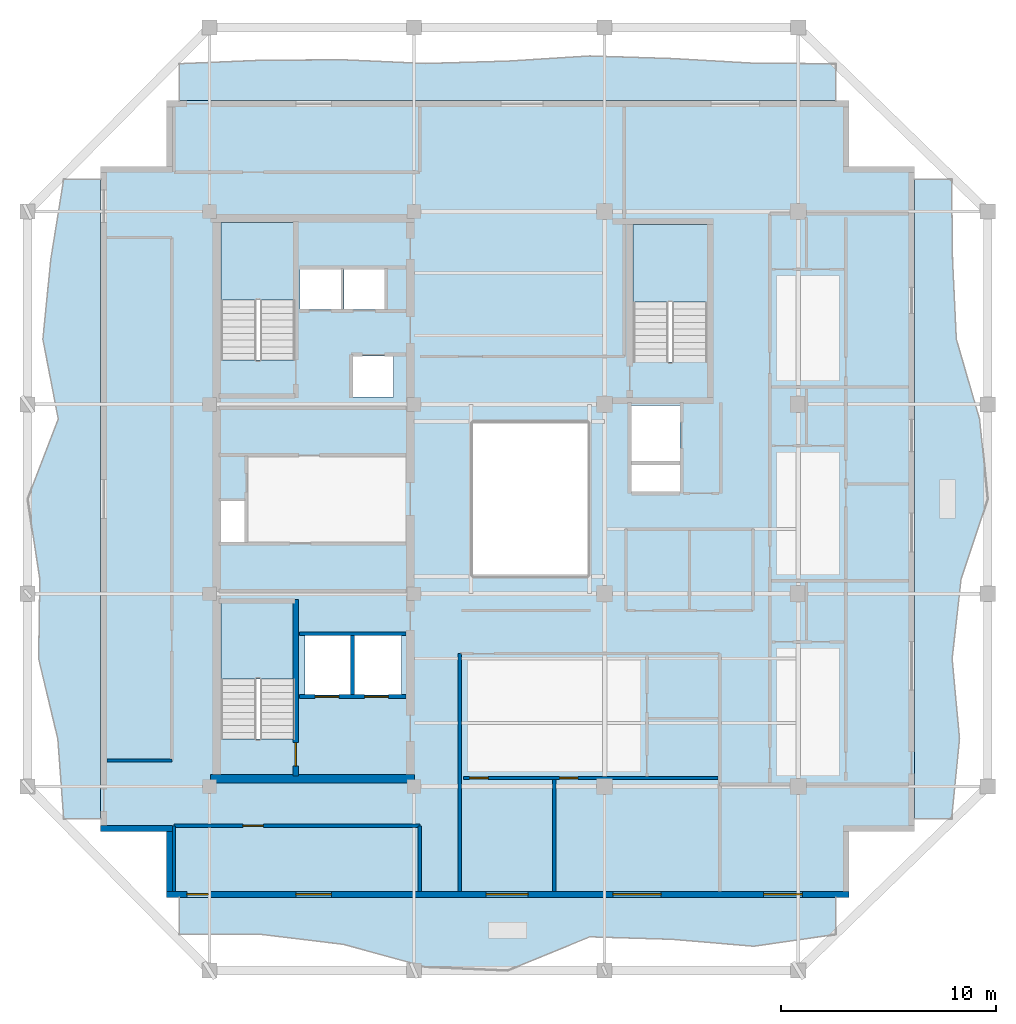
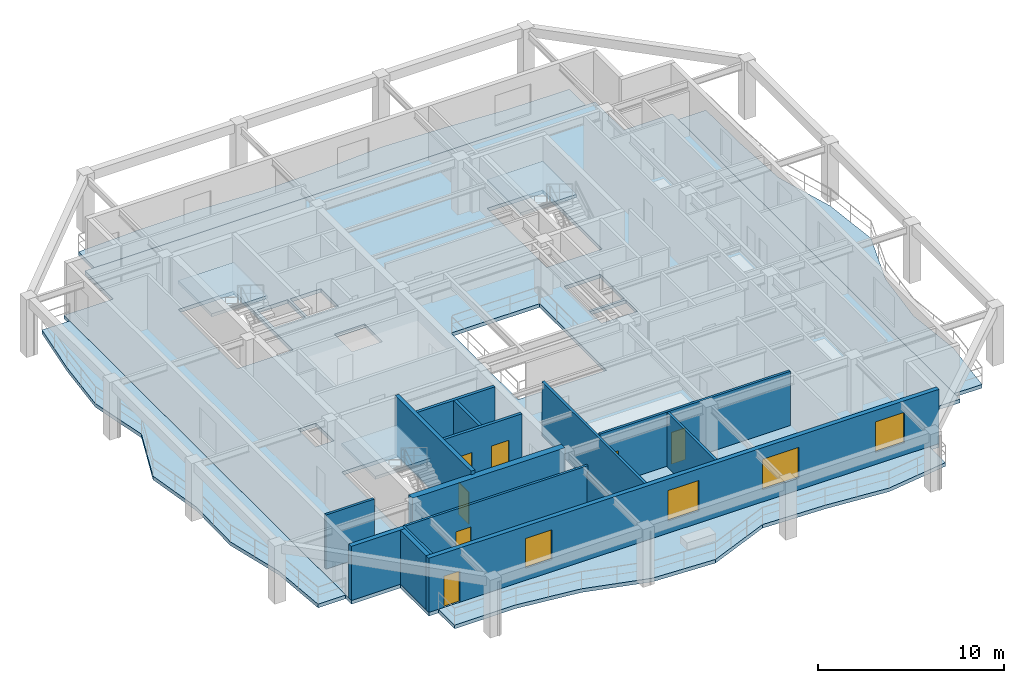
# One storey, part 2 of 10: 15 walls, 8 slabs, 7 doors, 4 windows, 11 openings, 3 elements without a shape of their own.
"""IFC4 building model written with IfcOpenShell, lengths in metres."""

from ifc_helpers import new_model, si_unit, direction, frame, frame_2d, origin, place, context, subcontext, project, spatial, polyline, rectangle, outline, extrude, material, layer, layer_set, type_object, element, fill, aggregate, save


model = new_model("IFC4")

# Units and contexts
model_context = context("Model", 3, precision=1e-05, world=origin(), true_north=direction((0.0, 1.0)))
body_context = subcontext(model_context, "Body", "Model", "MODEL_VIEW")
ifc_project = project(units=[si_unit("LENGTHUNIT", "METRE"), si_unit("AREAUNIT", "SQUARE_METRE"), si_unit("VOLUMEUNIT", "CUBIC_METRE"), si_unit("PLANEANGLEUNIT", "RADIAN"), si_unit("MASSUNIT", "GRAM", prefix="KILO")], contexts=[model_context])

# Site, building, storey
site_placement = place(None, origin())
site = spatial("IfcSite", under=ifc_project, at=site_placement, CompositionType="ELEMENT")
building_placement = place(site_placement, origin())
building = spatial("IfcBuilding", under=site, at=building_placement, Name="Kundavana Baori Tower", CompositionType="ELEMENT")
storey_placement = place(building_placement, frame((0.0, 0.0, 316.300048828125)))
storey = spatial("IfcBuildingStorey", under=building, at=storey_placement, Name="L78", CompositionType="ELEMENT", Elevation=316.300048828125)

# Slab
ifc_material_1 = material(Name="Concrete C40/50", Category="concrete")
ifc_layer_1 = layer(ifc_material_1, 0.239990234375, Name="SLB-FLR-240")
ifc_layer_set_1 = layer_set([ifc_layer_1], Name="Concrete C40/50")
slab_type_1 = type_object("IfcSlabType", Name="SLB-FLR-240", PredefinedType="FLOOR", material=ifc_layer_set_1)
slab_1_placement = place(storey_placement, frame((0.0, 0.0, -0.239990234375)))
element("IfcSlab", 1, at=slab_1_placement, inside=storey, type_object=slab_type_1, Name="L78 Structural Floor Slab", PredefinedType="FLOOR", context=body_context, shape_type="SweptSolid", body=[
    extrude(outline(polyline([(13.449951171875, 10.10009765625), (45.14990234375, 10.10009765625), (45.14990234375, 13.14990234375), (48.199951171875, 13.14990234375), (48.199951171875, 44.050048828125), (45.14990234375, 44.050048828125), (45.14990234375, 47.10009765625), (13.449951171875, 47.10009765625), (13.449951171875, 44.050048828125), (10.39990234375, 44.050048828125), (10.39990234375, 13.14990234375), (13.449951171875, 13.14990234375), (13.449951171875, 10.10009765625)]), holes=[polyline([(19.43994140625, 17.4619140625), (19.43994140625, 23.85009765625), (15.97998046875, 23.85009765625), (15.97998046875, 17.4619140625), (19.43994140625, 17.4619140625)]), polyline([(19.43994140625, 35.06201171875), (19.43994140625, 41.449951171875), (15.97998046875, 41.449951171875), (15.97998046875, 35.06201171875), (19.43994140625, 35.06201171875)]), polyline([(38.580078125, 34.9619140625), (38.580078125, 41.35009765625), (35.1201171875, 41.35009765625), (35.1201171875, 34.9619140625), (38.580078125, 34.9619140625)]), polyline([(19.64990234375, 37.39990234375), (21.550048828125, 37.39990234375), (21.550048828125, 39.300048828125), (19.64990234375, 39.300048828125), (19.64990234375, 37.39990234375)]), polyline([(21.699951171875, 37.39990234375), (23.60009765625, 37.39990234375), (23.60009765625, 39.300048828125), (21.699951171875, 39.300048828125), (21.699951171875, 37.39990234375)]), polyline([(22.10009765625, 33.35009765625), (24.0, 33.35009765625), (24.0, 35.25), (22.10009765625, 35.25), (22.10009765625, 33.35009765625)]), polyline([(19.8798828125, 19.5), (22.02001953125, 19.5), (22.02001953125, 22.25), (19.8798828125, 22.25), (19.8798828125, 19.5)]), polyline([(22.179931640625, 19.5), (24.3798828125, 19.5), (24.3798828125, 22.25), (22.179931640625, 22.25), (22.179931640625, 19.5)]), polyline([(35.050048828125, 30.35009765625), (37.300048828125, 30.35009765625), (37.300048828125, 32.949951171875), (35.050048828125, 32.949951171875), (35.050048828125, 30.35009765625)]), polyline([(15.949951171875, 26.60009765625), (17.080078125, 26.60009765625), (17.080078125, 28.5), (15.949951171875, 28.5), (15.949951171875, 26.60009765625)]), polyline([(35.050048828125, 28.949951171875), (37.300048828125, 28.949951171875), (37.300048828125, 30.199951171875), (35.050048828125, 30.199951171875), (35.050048828125, 28.949951171875)]), polyline([(27.60009765625, 25.0), (33.10009765625, 25.0), (33.10009765625, 32.199951171875), (27.60009765625, 32.199951171875), (27.60009765625, 25.0)])]), origin(), (0.0, 0.0, 1.0), 0.239990234375),
])

# Stair, slab
ifc_material_2 = material(Name="Concrete C40/50", Category="concrete")
stair_type = type_object("IfcStairType", Name="STR-DOG-1650", PredefinedType="HALF_TURN_STAIR", material=ifc_material_2)
stair_1_placement = place(storey_placement, origin())
stair_1 = element("IfcStair", 2, at=stair_1_placement, inside=storey, type_object=stair_type, Name="L78 Protected Exit Stair ST1", PredefinedType="HALF_TURN_STAIR")
ifc_material_3 = material(Name="Concrete C40/50", Category="concrete")
ifc_layer_2 = layer(ifc_material_3, 0.199951171875, Name="SLB-LND-200")
ifc_layer_set_2 = layer_set([ifc_layer_2], Name="Concrete C40/50")
slab_type_2 = type_object("IfcSlabType", Name="SLB-LND-200", PredefinedType="LANDING", material=ifc_layer_set_2)
slab_2_placement = place(storey_placement, frame((0.0, 0.0, 1.699951171875)))
slab_2 = element("IfcSlab", 3, at=slab_2_placement, type_object=slab_type_2, Name="ST1 landing 1", PredefinedType="LANDING", context=body_context, shape_type="SweptSolid", body=[
    extrude(outline(polyline([(19.43994140625, 20.239990234375), (19.43994140625, 23.85009765625), (15.97998046875, 23.85009765625), (15.97998046875, 20.239990234375), (19.43994140625, 20.239990234375)])), origin(), (0.0, 0.0, 1.0), 0.199951171875),
])
aggregate(stair_1, [slab_2])

stair_2_placement = place(storey_placement, origin())
stair_2 = element("IfcStair", 4, at=stair_2_placement, inside=storey, type_object=stair_type, Name="L78 Protected Exit Stair ST2", PredefinedType="HALF_TURN_STAIR")
slab_3_placement = place(storey_placement, frame((0.0, 0.0, 1.699951171875)))
slab_3 = element("IfcSlab", 5, at=slab_3_placement, type_object=slab_type_2, Name="ST2 landing 1", PredefinedType="LANDING", context=body_context, shape_type="SweptSolid", body=[
    extrude(outline(polyline([(19.43994140625, 37.840087890625), (19.43994140625, 41.449951171875), (15.97998046875, 41.449951171875), (15.97998046875, 37.840087890625), (19.43994140625, 37.840087890625)])), origin(), (0.0, 0.0, 1.0), 0.199951171875),
])
aggregate(stair_2, [slab_3])

stair_3_placement = place(storey_placement, origin())
stair_3 = element("IfcStair", 6, at=stair_3_placement, inside=storey, type_object=stair_type, Name="L78 Protected Exit Stair ST3", PredefinedType="HALF_TURN_STAIR")
slab_4_placement = place(storey_placement, frame((0.0, 0.0, 1.699951171875)))
slab_4 = element("IfcSlab", 7, at=slab_4_placement, type_object=slab_type_2, Name="ST3 landing 1", PredefinedType="LANDING", context=body_context, shape_type="SweptSolid", body=[
    extrude(outline(polyline([(38.580078125, 37.739990234375), (38.580078125, 41.35009765625), (35.1201171875, 41.35009765625), (35.1201171875, 37.739990234375), (38.580078125, 37.739990234375)])), origin(), (0.0, 0.0, 1.0), 0.199951171875),
])
aggregate(stair_3, [slab_4])

# Slabs
ifc_material_4 = material(Name="Concrete C40/50", Category="concrete")
ifc_layer_3 = layer(ifc_material_4, 0.239990234375, Name="SLB-LOG-240")
ifc_layer_set_3 = layer_set([ifc_layer_3], Name="Concrete C40/50")
slab_type_3 = type_object("IfcSlabType", Name="SLB-LOG-240", PredefinedType="FLOOR", material=ifc_layer_set_3)
slab_5_placement = place(storey_placement, frame((0.0, 0.0, -0.239990234375)))
element("IfcSlab", 8, at=slab_5_placement, inside=storey, type_object=slab_type_3, Name="L78 Planted Loggia Balcony Slab S", PredefinedType="FLOOR", context=body_context, shape_type="SweptSolid", body=[
    extrude(outline(polyline([(14.050048828125, 10.10009765625), (44.550048828125, 10.10009765625), (44.550048828125, 8.3798828125), (40.737060546875, 7.827880859375), (36.925048828125, 8.15087890625), (33.112060546875, 8.264892578125), (29.300048828125, 6.699951171875), (25.487060546875, 6.8701171875), (21.675048828125, 7.916015625), (17.863037109375, 8.3779296875), (14.050048828125, 8.3798828125), (14.050048828125, 10.10009765625)])), origin(), (0.0, 0.0, 1.0), 0.239990234375),
])
slab_6_placement = place(storey_placement, frame((0.0, 0.0, -0.239990234375)))
element("IfcSlab", 9, at=slab_6_placement, inside=storey, type_object=slab_type_3, Name="L78 Planted Loggia Balcony Slab E", PredefinedType="FLOOR", context=body_context, shape_type="SweptSolid", body=[
    extrude(outline(polyline([(48.199951171875, 13.75), (48.199951171875, 43.449951171875), (49.919921875, 43.449951171875), (49.964111328125, 39.738037109375), (50.139892578125, 36.02490234375), (51.220947265625, 32.31201171875), (51.60009765625, 28.60009765625), (50.362060546875, 24.887939453125), (49.946044921875, 21.175048828125), (50.2890625, 17.4619140625), (49.919921875, 13.75), (48.199951171875, 13.75)])), origin(), (0.0, 0.0, 1.0), 0.239990234375),
])
slab_7_placement = place(storey_placement, frame((0.0, 0.0, -0.239990234375)))
element("IfcSlab", 10, at=slab_7_placement, inside=storey, type_object=slab_type_3, Name="L78 Planted Loggia Balcony Slab N", PredefinedType="FLOOR", context=body_context, shape_type="SweptSolid", body=[
    extrude(outline(polyline([(44.550048828125, 47.10009765625), (14.050048828125, 47.10009765625), (14.050048828125, 48.820068359375), (17.863037109375, 48.97998046875), (21.675048828125, 49.0009765625), (25.487060546875, 48.830078125), (29.300048828125, 48.93994140625), (33.112060546875, 49.178955078125), (36.925048828125, 49.06005859375), (40.737060546875, 48.843017578125), (44.550048828125, 48.820068359375), (44.550048828125, 47.10009765625)])), origin(), (0.0, 0.0, 1.0), 0.239990234375),
])
slab_8_placement = place(storey_placement, frame((0.0, 0.0, -0.239990234375)))
element("IfcSlab", 11, at=slab_8_placement, inside=storey, type_object=slab_type_3, Name="L78 Planted Loggia Balcony Slab W", PredefinedType="FLOOR", context=body_context, shape_type="SweptSolid", body=[
    extrude(outline(polyline([(10.39990234375, 43.449951171875), (10.39990234375, 13.75), (8.679931640625, 13.75), (8.406005859375, 17.4619140625), (7.51806640625, 21.175048828125), (7.570068359375, 24.887939453125), (7.0, 28.60009765625), (8.428955078125, 32.31201171875), (7.712890625, 36.02490234375), (8.0810546875, 39.738037109375), (8.679931640625, 43.449951171875), (10.39990234375, 43.449951171875)])), origin(), (0.0, 0.0, 1.0), 0.239990234375),
])

# Wall
ifc_material_5 = material(Name="Concrete C50/60", Category="concrete")
ifc_layer_4 = layer(ifc_material_5, 0.39990234375, Name="WL-CORE-400")
ifc_layer_set_4 = layer_set([ifc_layer_4], Name="Concrete C50/60")
wall_type_1 = type_object("IfcWallType", Name="WL-CORE-400", PredefinedType="SHEAR", material=ifc_layer_set_4)
wall_1_placement = place(storey_placement, frame((15.5, 15.610107421875, 0.0), z_axis=(0.0, 0.0, 1.0), x_axis=(1.0, 0.0, 0.0)))
element("IfcWall", 12, at=wall_1_placement, inside=storey, type_object=wall_type_1, Name="L78 Offset Core South Shear Wall", PredefinedType="SHEAR", context=body_context, shape_type="SweptSolid", body=[
    extrude(rectangle(XDim=9.47998046875, YDim=0.39990234375, at=frame_2d((4.739990234375, 0.0))), origin(), (0.0, 0.0, 1.0), 3.56005859375),
])

# Wall, opening, door
wall_2_placement = place(storey_placement, frame((19.4599609375, 15.739990234375, 0.0), z_axis=(0.0, 0.0, 1.0), x_axis=(0.0, 1.0, 0.0)))
wall_2 = element("IfcWall", 13, at=wall_2_placement, inside=storey, type_object=wall_type_1, Name="WL-L78-ST1-E", PredefinedType="SHEAR", context=body_context, shape_type="SweptSolid", body=[
    extrude(rectangle(XDim=8.199951171875, YDim=0.239990234375, at=frame_2d((4.10009765625, 0.0))), origin(), (0.0, 0.0, 1.0), 3.800048828125),
])
opening_1_placement = place(wall_2_placement, frame((0.449951171875, 0.0, 0.0)))
opening_1 = element("IfcOpeningElement", 14, at=opening_1_placement, cuts=wall_2, Name="Opening FD-110", PredefinedType="OPENING", context=body_context, shape_type="SweptSolid", body=[
    extrude(rectangle(XDim=1.10009765625, YDim=2.10009765625, at=frame_2d((0.550048828125, 1.050048828125))), frame((0.0, 0.1298828125, 0.0), z_axis=(0.0, -1.0, 0.0), x_axis=(1.0, 0.0, 0.0)), (0.0, 0.0, 1.0), 0.260009765625),
])
ifc_material_6 = material(Name="Galvanised Steel Fire-Rated Door Leaf", Category="steel")
door_type_1 = type_object("IfcDoorType", Name="DR-FD120-1100", OperationType="NOTDEFINED", PredefinedType="DOOR", material=ifc_material_6)
door_1_placement = place(opening_1_placement, origin())
door_1 = element("IfcDoor", 15, at=door_1_placement, inside=storey, type_object=door_type_1, Name="DR-L78-ST1", OperationType="SINGLE_SWING_LEFT", OverallHeight=2.10009765625, OverallWidth=1.10009765625, PredefinedType="DOOR", context=body_context, shape_type="SweptSolid", body=[
    extrude(rectangle(XDim=1.10009765625, YDim=2.10009765625, at=frame_2d((0.550048828125, 1.050048828125))), frame((0.0, 0.02490234375, 0.0), z_axis=(0.0, -1.0, 0.0), x_axis=(1.0, 0.0, 0.0)), (0.0, 0.0, 1.0), 0.050048828125),
])
fill(opening_1, door_1)

# Wall, openings, door, windows
ifc_material_7 = material(Name="Red-Buff Dholpur Sandstone Cladding on Concrete C40/50", Category="masonry")
ifc_layer_5 = layer(ifc_material_7, 0.280029296875, Name="WL-EXT-SAND-280")
ifc_layer_set_5 = layer_set([ifc_layer_5], Name="Red-Buff Dholpur Sandstone Cladding on Concrete C40/50")
wall_type_2 = type_object("IfcWallType", Name="WL-EXT-SAND-280", PredefinedType="STANDARD", material=ifc_layer_set_5)
wall_3_placement = place(storey_placement, frame((13.449951171875, 10.239990234375, 0.0), z_axis=(0.0, 0.0, 1.0), x_axis=(1.0, 0.0, 0.0)))
wall_3 = element("IfcWall", 16, at=wall_3_placement, inside=storey, type_object=wall_type_2, Name="L78 Exterior Insulated Facade Wall 01", PredefinedType="STANDARD", context=body_context, shape_type="SweptSolid", body=[
    extrude(rectangle(XDim=31.699951171875, YDim=0.280029296875, at=frame_2d((15.85009765625, 0.0))), origin(), (0.0, 0.0, 1.0), 3.56005859375),
])
opening_2_placement = place(wall_3_placement, frame((0.949951171875, 0.0, 0.0)))
opening_2 = element("IfcOpeningElement", 17, at=opening_2_placement, cuts=wall_3, Name="Opening BD-1", PredefinedType="OPENING", context=body_context, shape_type="SweptSolid", body=[
    extrude(rectangle(XDim=1.0, YDim=2.050048828125, at=frame_2d((0.5, 1.02490234375))), frame((0.0, 0.14990234375, 0.0), z_axis=(0.0, -1.0, 0.0), x_axis=(1.0, 0.0, 0.0)), (0.0, 0.0, 1.0), 0.300048828125),
])
opening_3_placement = place(wall_3_placement, frame((6.010009765625, 0.0, 0.800048828125)))
opening_3 = element("IfcOpeningElement", 18, at=opening_3_placement, cuts=wall_3, Name="Opening W-08", PredefinedType="OPENING", context=body_context, shape_type="SweptSolid", body=[
    extrude(rectangle(XDim=1.64990234375, YDim=1.949951171875, at=frame_2d((0.824951171875, 0.97509765625))), frame((0.0, 0.14990234375, 0.0), z_axis=(0.0, -1.0, 0.0), x_axis=(1.0, 0.0, 0.0)), (0.0, 0.0, 1.0), 0.300048828125),
])
opening_4_placement = place(wall_3_placement, frame((14.847900390625, 0.0, 0.800048828125)))
opening_4 = element("IfcOpeningElement", 19, at=opening_4_placement, cuts=wall_3, Name="Opening W-09", PredefinedType="OPENING", context=body_context, shape_type="SweptSolid", body=[
    extrude(rectangle(XDim=1.949951171875, YDim=2.0, at=frame_2d((0.97509765625, 1.0))), frame((0.0, 0.14990234375, 0.0), z_axis=(0.0, -1.0, 0.0), x_axis=(1.0, 0.0, 0.0)), (0.0, 0.0, 1.0), 0.300048828125),
])
opening_5_placement = place(wall_3_placement, frame((20.73291015625, 0.0, 0.800048828125)))
opening_5 = element("IfcOpeningElement", 20, at=opening_5_placement, cuts=wall_3, Name="Opening W-10", PredefinedType="OPENING", context=body_context, shape_type="SweptSolid", body=[
    extrude(rectangle(XDim=2.25, YDim=2.0, at=frame_2d((1.125, 1.0))), frame((0.0, 0.14990234375, 0.0), z_axis=(0.0, -1.0, 0.0), x_axis=(1.0, 0.0, 0.0)), (0.0, 0.0, 1.0), 0.300048828125),
])
opening_6_placement = place(wall_3_placement, frame((27.7451171875, 0.0, 0.800048828125)))
opening_6 = element("IfcOpeningElement", 21, at=opening_6_placement, cuts=wall_3, Name="Opening W-01", PredefinedType="OPENING", context=body_context, shape_type="SweptSolid", body=[
    extrude(rectangle(XDim=1.800048828125, YDim=2.0, at=frame_2d((0.89990234375, 1.0))), frame((0.0, 0.14990234375, 0.0), z_axis=(0.0, -1.0, 0.0), x_axis=(1.0, 0.0, 0.0)), (0.0, 0.0, 1.0), 0.300048828125),
])
ifc_material_8 = material(Name="Architectural Patinated Bronze Metalwork")
door_type_2 = type_object("IfcDoorType", Name="DR-EXT-LOG-1000", OperationType="NOTDEFINED", PredefinedType="DOOR", material=ifc_material_8)
door_2_placement = place(opening_2_placement, frame((1.0, 0.0, 0.0), z_axis=(0.0, 0.0, 1.0), x_axis=(-1.0, 0.0, 0.0)))
door_2 = element("IfcDoor", 22, at=door_2_placement, inside=storey, type_object=door_type_2, Name="L78 Loggia Balcony Access Door S", OperationType="SINGLE_SWING_LEFT", OverallHeight=2.050048828125, OverallWidth=1.0, PredefinedType="DOOR", context=body_context, shape_type="SweptSolid", body=[
    extrude(rectangle(XDim=1.0, YDim=2.050048828125, at=frame_2d((0.5, 1.02490234375))), frame((0.0, 0.02490234375, 0.0), z_axis=(0.0, -1.0, 0.0), x_axis=(1.0, 0.0, 0.0)), (0.0, 0.0, 1.0), 0.050048828125),
])
fill(opening_2, door_2)
ifc_material_9 = material(Name="Double-Glazed Solar-Control Low-E Insulated Glass", Category="glass")
window_type_1 = type_object("IfcWindowType", Name="WIN-LOG-1650x1950", PartitioningType="SINGLE_PANEL", PredefinedType="WINDOW", material=ifc_material_9)
window_1_placement = place(opening_3_placement, origin())
window_1 = element("IfcWindow", 23, at=window_1_placement, inside=storey, type_object=window_type_1, Name="L78 Recessed Loggia Window S-1", OverallHeight=1.949951171875, OverallWidth=1.64990234375, PartitioningType="SINGLE_PANEL", PredefinedType="WINDOW", context=body_context, shape_type="SweptSolid", body=[
    extrude(rectangle(XDim=1.64990234375, YDim=1.949951171875, at=frame_2d((0.824951171875, 0.97509765625))), frame((0.0, 0.030029296875, 0.0), z_axis=(0.0, -1.0, 0.0), x_axis=(1.0, 0.0, 0.0)), (0.0, 0.0, 1.0), 0.06005859375),
])
fill(opening_3, window_1)
ifc_material_10 = material(Name="Double-Glazed Solar-Control Low-E Insulated Glass", Category="glass")
window_type_2 = type_object("IfcWindowType", Name="WIN-LOG-1800x2000", PartitioningType="SINGLE_PANEL", PredefinedType="WINDOW", material=ifc_material_10)
window_2_placement = place(opening_6_placement, origin())
window_2 = element("IfcWindow", 24, at=window_2_placement, inside=storey, type_object=window_type_2, Name="L78 Recessed Loggia Window S-4", OverallHeight=2.0, OverallWidth=1.800048828125, PartitioningType="SINGLE_PANEL", PredefinedType="WINDOW", context=body_context, shape_type="SweptSolid", body=[
    extrude(rectangle(XDim=1.800048828125, YDim=2.0, at=frame_2d((0.89990234375, 1.0))), frame((0.0, 0.030029296875, 0.0), z_axis=(0.0, -1.0, 0.0), x_axis=(1.0, 0.0, 0.0)), (0.0, 0.0, 1.0), 0.06005859375),
])
fill(opening_6, window_2)
ifc_material_11 = material(Name="Double-Glazed Solar-Control Low-E Insulated Glass", Category="glass")
window_type_3 = type_object("IfcWindowType", Name="WIN-LOG-1950x2000", PartitioningType="SINGLE_PANEL", PredefinedType="WINDOW", material=ifc_material_11)
window_3_placement = place(opening_4_placement, origin())
window_3 = element("IfcWindow", 25, at=window_3_placement, inside=storey, type_object=window_type_3, Name="L78 Recessed Loggia Window S-2", OverallHeight=2.0, OverallWidth=1.949951171875, PartitioningType="SINGLE_PANEL", PredefinedType="WINDOW", context=body_context, shape_type="SweptSolid", body=[
    extrude(rectangle(XDim=1.949951171875, YDim=2.0, at=frame_2d((0.97509765625, 1.0))), frame((0.0, 0.030029296875, 0.0), z_axis=(0.0, -1.0, 0.0), x_axis=(1.0, 0.0, 0.0)), (0.0, 0.0, 1.0), 0.06005859375),
])
fill(opening_4, window_3)
ifc_material_12 = material(Name="Double-Glazed Solar-Control Low-E Insulated Glass", Category="glass")
window_type_4 = type_object("IfcWindowType", Name="WIN-LOG-2250x2000", PartitioningType="SINGLE_PANEL", PredefinedType="WINDOW", material=ifc_material_12)
window_4_placement = place(opening_5_placement, origin())
window_4 = element("IfcWindow", 26, at=window_4_placement, inside=storey, type_object=window_type_4, Name="L78 Recessed Loggia Window S-3", OverallHeight=2.0, OverallWidth=2.25, PartitioningType="SINGLE_PANEL", PredefinedType="WINDOW", context=body_context, shape_type="SweptSolid", body=[
    extrude(rectangle(XDim=2.25, YDim=2.0, at=frame_2d((1.125, 1.0))), frame((0.0, 0.030029296875, 0.0), z_axis=(0.0, -1.0, 0.0), x_axis=(1.0, 0.0, 0.0)), (0.0, 0.0, 1.0), 0.06005859375),
])
fill(opening_5, window_4)

# Walls
wall_4_placement = place(storey_placement, frame((10.39990234375, 13.2900390625, 0.0), z_axis=(0.0, 0.0, 1.0), x_axis=(1.0, 0.0, 0.0)))
element("IfcWall", 27, at=wall_4_placement, inside=storey, type_object=wall_type_2, Name="L78 Exterior Insulated Facade Wall 11", PredefinedType="STANDARD", context=body_context, shape_type="SweptSolid", body=[
    extrude(rectangle(XDim=3.330078125, YDim=0.280029296875, at=frame_2d((1.6650390625, 0.0))), origin(), (0.0, 0.0, 1.0), 3.56005859375),
])
wall_5_placement = place(storey_placement, frame((13.590087890625, 13.14990234375, 0.0), z_axis=(0.0, 0.0, 1.0), x_axis=(0.0, -1.0, 0.0)))
element("IfcWall", 28, at=wall_5_placement, inside=storey, type_object=wall_type_2, Name="L78 Exterior Insulated Facade Wall 12", PredefinedType="STANDARD", context=body_context, shape_type="SweptSolid", body=[
    extrude(rectangle(XDim=2.77001953125, YDim=0.280029296875, at=frame_2d((1.385009765625, 0.0))), origin(), (0.0, 0.0, 1.0), 3.56005859375),
])
ifc_material_13 = material(Name="Fire-Rated Gypsum Drywall on Galvanised Steel Studs", Category="steel")
ifc_layer_6 = layer(ifc_material_13, 0.14990234375, Name="WL-PART-150")
ifc_layer_set_6 = layer_set([ifc_layer_6], Name="Fire-Rated Gypsum Drywall on Galvanised Steel Studs")
wall_type_3 = type_object("IfcWallType", Name="WL-PART-150", PredefinedType="PARTITIONING", material=ifc_layer_set_6)
wall_6_placement = place(storey_placement, frame((27.080078125, 10.3798828125, 0.0), z_axis=(0.0, 0.0, 1.0), x_axis=(0.0, 1.0, 0.0)))
element("IfcWall", 29, at=wall_6_placement, inside=storey, type_object=wall_type_3, Name="WL-L78-RSW", PredefinedType="PARTITIONING", context=body_context, shape_type="SweptSolid", body=[
    extrude(rectangle(XDim=11.0400390625, YDim=0.14990234375, at=frame_2d((5.52001953125, 0.0))), origin(), (0.0, 0.0, 1.0), 3.56005859375),
])

# Wall, opening, door
wall_7_placement = place(storey_placement, frame((13.800048828125, 13.419921875, 0.0), z_axis=(0.0, 0.0, 1.0), x_axis=(1.0, 0.0, 0.0)))
wall_7 = element("IfcWall", 30, at=wall_7_placement, inside=storey, type_object=wall_type_3, Name="WL-L78-RSC", PredefinedType="PARTITIONING", context=body_context, shape_type="SweptSolid", body=[
    extrude(rectangle(XDim=11.419921875, YDim=0.14990234375, at=frame_2d((5.7099609375, 0.0))), origin(), (0.0, 0.0, 1.0), 3.56005859375),
])
opening_7_placement = place(wall_7_placement, frame((3.199951171875, 0.0, 0.0)))
opening_7 = element("IfcOpeningElement", 31, at=opening_7_placement, cuts=wall_7, Name="Opening ID-095", PredefinedType="OPENING", context=body_context, shape_type="SweptSolid", body=[
    extrude(rectangle(XDim=0.949951171875, YDim=2.080078125, at=frame_2d((0.47509765625, 1.0400390625))), frame((0.0, 0.0849609375, 0.0), z_axis=(0.0, -1.0, 0.0), x_axis=(1.0, 0.0, 0.0)), (0.0, 0.0, 1.0), 0.169921875),
])
ifc_material_14 = material(Name="Engineered Teak Solid-Core Timber Veneer", Category="wood")
door_type_3 = type_object("IfcDoorType", Name="DR-INT-950", OperationType="NOTDEFINED", PredefinedType="DOOR", material=ifc_material_14)
door_3_placement = place(opening_7_placement, frame((0.949951171875, 0.0, 0.0), z_axis=(0.0, 0.0, 1.0), x_axis=(-1.0, 0.0, 0.0)))
door_3 = element("IfcDoor", 32, at=door_3_placement, inside=storey, type_object=door_type_3, Name="DR-L78-RMSW", OperationType="SINGLE_SWING_LEFT", OverallHeight=2.080078125, OverallWidth=0.949951171875, PredefinedType="DOOR", context=body_context, shape_type="SweptSolid", body=[
    extrude(rectangle(XDim=0.949951171875, YDim=2.080078125, at=frame_2d((0.47509765625, 1.0400390625))), frame((0.0, 0.02490234375, 0.0), z_axis=(0.0, -1.0, 0.0), x_axis=(1.0, 0.0, 0.0)), (0.0, 0.0, 1.0), 0.050048828125),
])
fill(opening_7, door_3)

# Walls
wall_8_placement = place(storey_placement, frame((13.800048828125, 10.3798828125, 0.0), z_axis=(0.0, 0.0, 1.0), x_axis=(0.0, 1.0, 0.0)))
element("IfcWall", 33, at=wall_8_placement, inside=storey, type_object=wall_type_3, Name="WL-L78-RSCW", PredefinedType="PARTITIONING", context=body_context, shape_type="SweptSolid", body=[
    extrude(rectangle(XDim=3.0400390625, YDim=0.14990234375, at=frame_2d((1.52001953125, 0.0))), origin(), (0.0, 0.0, 1.0), 3.56005859375),
])
wall_9_placement = place(storey_placement, frame((25.219970703125, 10.3798828125, 0.0), z_axis=(0.0, 0.0, 1.0), x_axis=(0.0, 1.0, 0.0)))
element("IfcWall", 34, at=wall_9_placement, inside=storey, type_object=wall_type_3, Name="WL-L78-RSCE", PredefinedType="PARTITIONING", context=body_context, shape_type="SweptSolid", body=[
    extrude(rectangle(XDim=3.0400390625, YDim=0.14990234375, at=frame_2d((1.52001953125, 0.0))), origin(), (0.0, 0.0, 1.0), 3.10986328125),
])
wall_10_placement = place(storey_placement, frame((10.679931640625, 16.449951171875, 0.0), z_axis=(0.0, 0.0, 1.0), x_axis=(1.0, 0.0, 0.0)))
element("IfcWall", 35, at=wall_10_placement, inside=storey, type_object=wall_type_3, Name="WL-L78-RWS", PredefinedType="PARTITIONING", context=body_context, shape_type="SweptSolid", body=[
    extrude(rectangle(XDim=3.02001953125, YDim=0.14990234375, at=frame_2d((1.510009765625, 0.0))), origin(), (0.0, 0.0, 1.0), 3.56005859375),
])

# Wall, openings, doors
wall_11_placement = place(storey_placement, frame((27.239990234375, 15.64111328125, 0.0), z_axis=(0.0, 0.0, 1.0), x_axis=(1.0, 0.0, 0.0)))
wall_11 = element("IfcWall", 36, at=wall_11_placement, inside=storey, type_object=wall_type_3, Name="WL-L78-S1-HZ", PredefinedType="PARTITIONING", context=body_context, shape_type="SweptSolid", body=[
    extrude(rectangle(XDim=11.830078125, YDim=0.14990234375, at=frame_2d((5.9150390625, 0.0))), origin(), (0.0, 0.0, 1.0), 3.56005859375),
])
opening_8_placement = place(wall_11_placement, frame((0.300048828125, 0.0, 0.0)))
opening_8 = element("IfcOpeningElement", 37, at=opening_8_placement, cuts=wall_11, Name="Opening ID-085", PredefinedType="OPENING", context=body_context, shape_type="SweptSolid", body=[
    extrude(rectangle(XDim=0.85009765625, YDim=2.080078125, at=frame_2d((0.425048828125, 1.0400390625))), frame((0.0, 0.0849609375, 0.0), z_axis=(0.0, -1.0, 0.0), x_axis=(1.0, 0.0, 0.0)), (0.0, 0.0, 1.0), 0.169921875),
])
opening_9_placement = place(wall_11_placement, frame((4.47509765625, 0.0, 0.0)))
opening_9 = element("IfcOpeningElement", 38, at=opening_9_placement, cuts=wall_11, Name="Opening ID-085", PredefinedType="OPENING", context=body_context, shape_type="SweptSolid", body=[
    extrude(rectangle(XDim=0.85009765625, YDim=2.080078125, at=frame_2d((0.425048828125, 1.0400390625))), frame((0.0, 0.0849609375, 0.0), z_axis=(0.0, -1.0, 0.0), x_axis=(1.0, 0.0, 0.0)), (0.0, 0.0, 1.0), 0.169921875),
])
ifc_material_15 = material(Name="Engineered Teak Solid-Core Timber Veneer", Category="wood")
door_type_4 = type_object("IfcDoorType", Name="DR-INT-850", OperationType="NOTDEFINED", PredefinedType="DOOR", material=ifc_material_15)
door_4_placement = place(opening_8_placement, frame((0.85009765625, 0.0, 0.0), z_axis=(0.0, 0.0, 1.0), x_axis=(-1.0, 0.0, 0.0)))
door_4 = element("IfcDoor", 39, at=door_4_placement, inside=storey, type_object=door_type_4, Name="DR-L78-S1-B1", OperationType="SINGLE_SWING_LEFT", OverallHeight=2.080078125, OverallWidth=0.85009765625, PredefinedType="DOOR", context=body_context, shape_type="SweptSolid", body=[
    extrude(rectangle(XDim=0.85009765625, YDim=2.080078125, at=frame_2d((0.425048828125, 1.0400390625))), frame((0.0, 0.02490234375, 0.0), z_axis=(0.0, -1.0, 0.0), x_axis=(1.0, 0.0, 0.0)), (0.0, 0.0, 1.0), 0.050048828125),
])
fill(opening_8, door_4)
door_5_placement = place(opening_9_placement, frame((0.85009765625, 0.0, 0.0), z_axis=(0.0, 0.0, 1.0), x_axis=(-1.0, 0.0, 0.0)))
door_5 = element("IfcDoor", 40, at=door_5_placement, inside=storey, type_object=door_type_4, Name="DR-L78-S1-B2", OperationType="SINGLE_SWING_RIGHT", OverallHeight=2.080078125, OverallWidth=0.85009765625, PredefinedType="DOOR", context=body_context, shape_type="SweptSolid", body=[
    extrude(rectangle(XDim=0.85009765625, YDim=2.080078125, at=frame_2d((0.425048828125, 1.0400390625))), frame((0.0, 0.02490234375, 0.0), z_axis=(0.0, -1.0, 0.0), x_axis=(1.0, 0.0, 0.0)), (0.0, 0.0, 1.0), 0.050048828125),
])
fill(opening_9, door_5)

# Wall
wall_12_placement = place(storey_placement, frame((31.465087890625, 10.3798828125, 0.0), z_axis=(0.0, 0.0, 1.0), x_axis=(0.0, 1.0, 0.0)))
element("IfcWall", 41, at=wall_12_placement, inside=storey, type_object=wall_type_3, Name="WL-L78-S1-BDV", PredefinedType="PARTITIONING", context=body_context, shape_type="SweptSolid", body=[
    extrude(rectangle(XDim=5.18115234375, YDim=0.14990234375, at=frame_2d((2.590576171875, 0.0))), origin(), (0.0, 0.0, 1.0), 3.56005859375),
])

# Wall, openings, doors
ifc_material_16 = material(Name="Autoclaved Aerated Concrete Blockwork Masonry", Category="masonry")
ifc_layer_7 = layer(ifc_material_16, 0.179931640625, Name="WL-SHAFT-180")
ifc_layer_set_7 = layer_set([ifc_layer_7], Name="Autoclaved Aerated Concrete Blockwork Masonry")
wall_type_4 = type_object("IfcWallType", Name="WL-SHAFT-180", PredefinedType="SOLIDWALL", material=ifc_layer_set_7)
wall_13_placement = place(storey_placement, frame((19.639892578125, 19.419921875, 0.0), z_axis=(0.0, 0.0, 1.0), x_axis=(1.0, 0.0, 0.0)))
wall_13 = element("IfcWall", 42, at=wall_13_placement, inside=storey, type_object=wall_type_4, Name="WL-L78-FFL-S", PredefinedType="SOLIDWALL", context=body_context, shape_type="SweptSolid", body=[
    extrude(rectangle(XDim=4.940185546875, YDim=0.179931640625, at=frame_2d((2.47021484375, 0.0))), origin(), (0.0, 0.0, 1.0), 3.56005859375),
])
opening_10_placement = place(wall_13_placement, frame((0.719970703125, 0.0, 0.0)))
opening_10 = element("IfcOpeningElement", 43, at=opening_10_placement, cuts=wall_13, Name="Opening LD-110", PredefinedType="OPENING", context=body_context, shape_type="SweptSolid", body=[
    extrude(rectangle(XDim=1.10009765625, YDim=2.10009765625, at=frame_2d((0.550048828125, 1.050048828125))), frame((0.0, 0.10009765625, 0.0), z_axis=(0.0, -1.0, 0.0), x_axis=(1.0, 0.0, 0.0)), (0.0, 0.0, 1.0), 0.199951171875),
])
opening_11_placement = place(wall_13_placement, frame((3.02001953125, 0.0, 0.0)))
opening_11 = element("IfcOpeningElement", 44, at=opening_11_placement, cuts=wall_13, Name="Opening LD-110", PredefinedType="OPENING", context=body_context, shape_type="SweptSolid", body=[
    extrude(rectangle(XDim=1.10009765625, YDim=2.10009765625, at=frame_2d((0.550048828125, 1.050048828125))), frame((0.0, 0.10009765625, 0.0), z_axis=(0.0, -1.0, 0.0), x_axis=(1.0, 0.0, 0.0)), (0.0, 0.0, 1.0), 0.199951171875),
])
ifc_material_17 = material(Name="Galvanised Steel Fire-Rated Door Leaf", Category="steel")
door_type_5 = type_object("IfcDoorType", Name="DR-SLIDE-LD1100", OperationType="NOTDEFINED", PredefinedType="DOOR", material=ifc_material_17)
door_6_placement = place(opening_10_placement, origin())
door_6 = element("IfcDoor", 45, at=door_6_placement, inside=storey, type_object=door_type_5, Name="DR-L78-LD-FFL-1", OperationType="DOUBLE_DOOR_SLIDING", OverallHeight=2.10009765625, OverallWidth=1.10009765625, PredefinedType="DOOR", context=body_context, shape_type="SweptSolid", body=[
    extrude(rectangle(XDim=1.10009765625, YDim=2.10009765625, at=frame_2d((0.550048828125, 1.050048828125))), frame((0.0, 0.02490234375, 0.0), z_axis=(0.0, -1.0, 0.0), x_axis=(1.0, 0.0, 0.0)), (0.0, 0.0, 1.0), 0.050048828125),
])
fill(opening_10, door_6)
door_7_placement = place(opening_11_placement, origin())
door_7 = element("IfcDoor", 46, at=door_7_placement, inside=storey, type_object=door_type_5, Name="DR-L78-LD-FFL-2", OperationType="DOUBLE_DOOR_SLIDING", OverallHeight=2.10009765625, OverallWidth=1.10009765625, PredefinedType="DOOR", context=body_context, shape_type="SweptSolid", body=[
    extrude(rectangle(XDim=1.10009765625, YDim=2.10009765625, at=frame_2d((0.550048828125, 1.050048828125))), frame((0.0, 0.02490234375, 0.0), z_axis=(0.0, -1.0, 0.0), x_axis=(1.0, 0.0, 0.0)), (0.0, 0.0, 1.0), 0.050048828125),
])
fill(opening_11, door_7)

# Walls
wall_14_placement = place(storey_placement, frame((22.10009765625, 19.510009765625, 0.0), z_axis=(0.0, 0.0, 1.0), x_axis=(0.0, 1.0, 0.0)))
element("IfcWall", 47, at=wall_14_placement, inside=storey, type_object=wall_type_4, Name="WL-L78-FFL-MID", PredefinedType="SOLIDWALL", context=body_context, shape_type="SweptSolid", body=[
    extrude(rectangle(XDim=2.739990234375, YDim=0.179931640625, at=frame_2d((1.3701171875, 0.0))), origin(), (0.0, 0.0, 1.0), 3.56005859375),
])
wall_15_placement = place(storey_placement, frame((19.639892578125, 22.340087890625, 0.0), z_axis=(0.0, 0.0, 1.0), x_axis=(1.0, 0.0, 0.0)))
element("IfcWall", 48, at=wall_15_placement, inside=storey, type_object=wall_type_4, Name="WL-L78-FFL-N", PredefinedType="SOLIDWALL", context=body_context, shape_type="SweptSolid", body=[
    extrude(rectangle(XDim=4.940185546875, YDim=0.179931640625, at=frame_2d((2.47021484375, 0.0))), origin(), (0.0, 0.0, 1.0), 3.56005859375),
])

save(model, "model.ifc")
